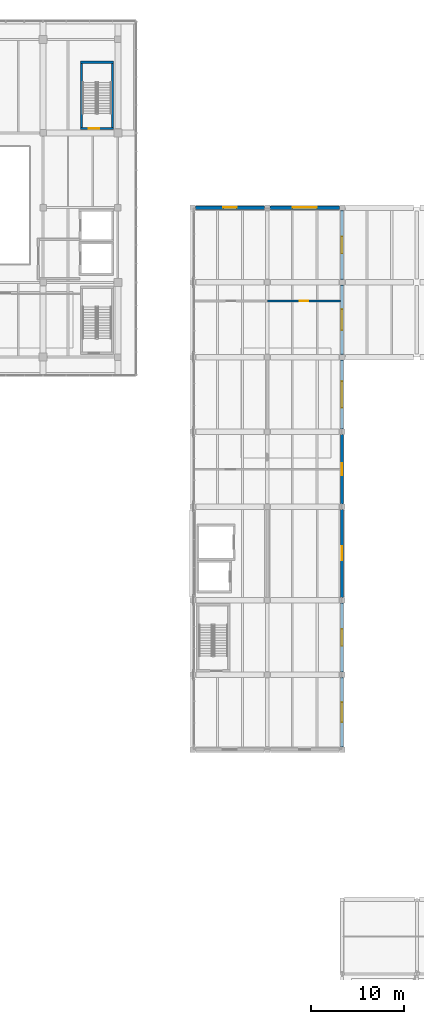
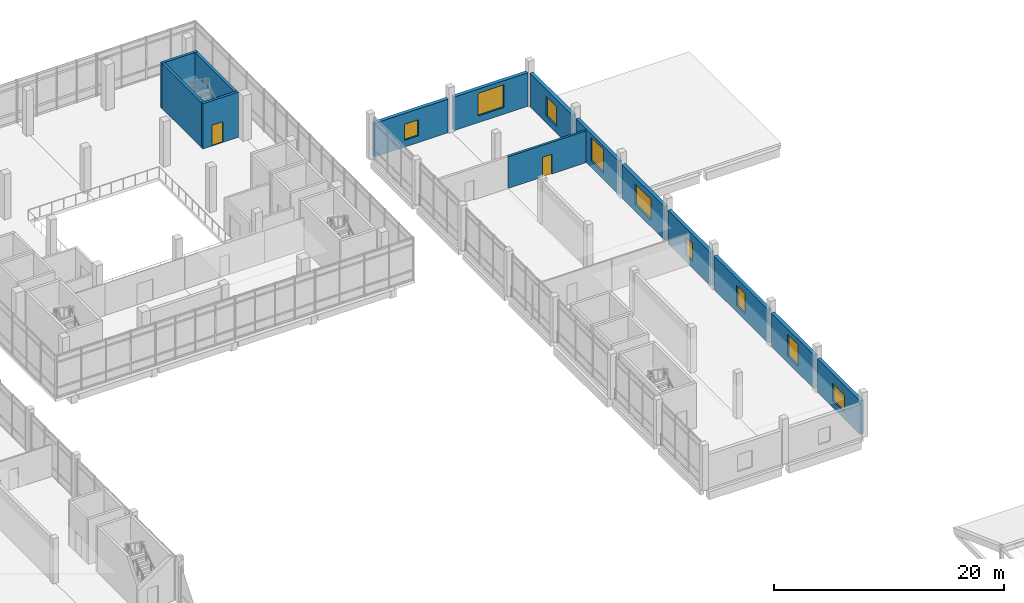
# One storey, part 36 of 47: 14 walls, 9 windows, 2 doors, 11 openings.
"""IFC4 building model written with IfcOpenShell, lengths in metres."""

from ifc_helpers import new_model, si_unit, direction, frame, frame_2d, origin, place, context, subcontext, project, spatial, rectangle, extrude, material, layer, layer_set, type_object, element, fill, save


model = new_model("IFC4")

# Units and contexts
model_context = context("Model", 3, precision=1e-05, world=origin(), true_north=direction((0.0, 1.0)))
body_context = subcontext(model_context, "Body", "Model", "MODEL_VIEW")
ifc_project = project(units=[si_unit("LENGTHUNIT", "METRE"), si_unit("AREAUNIT", "SQUARE_METRE"), si_unit("VOLUMEUNIT", "CUBIC_METRE"), si_unit("PLANEANGLEUNIT", "RADIAN"), si_unit("MASSUNIT", "GRAM", prefix="KILO")], contexts=[model_context])

# Site, building, storey
site_placement = place(None, origin())
site = spatial("IfcSite", under=ifc_project, at=site_placement, CompositionType="ELEMENT")
building_placement = place(site_placement, origin())
building = spatial("IfcBuilding", under=site, at=building_placement, Name="Pecanmere Concourse Central Library", CompositionType="ELEMENT")
storey_placement = place(building_placement, frame((0.0, 0.0, 15.300048828125)))
storey = spatial("IfcBuildingStorey", under=building, at=storey_placement, Name="L04", CompositionType="ELEMENT", Elevation=15.300048828125)

# Wall, opening, window
ifc_material_1 = material(Name="Texas cream limestone ashlar masonry", Category="masonry")
ifc_layer_1 = layer(ifc_material_1, 0.35009765625, Name="EW_LIME_350")
ifc_layer_set_1 = layer_set([ifc_layer_1], Name="Texas cream limestone ashlar masonry")
wall_type_1 = type_object("IfcWallType", Name="EW_LIME_350", PredefinedType="STANDARD", material=ifc_layer_set_1)
wall_1_placement = place(storey_placement, frame((128.0, 48.294921875, 0.0), z_axis=(0.0, 0.0, 1.0), x_axis=(0.0, 1.0, 0.0)))
wall_1 = element("IfcWall", 1, at=wall_1_placement, inside=storey, type_object=wall_type_1, Name="Limestone Facade Wall L04-0177", PredefinedType="STANDARD", context=body_context, shape_type="SweptSolid", body=[
    extrude(rectangle(XDim=7.41015625, YDim=0.35009765625, at=frame_2d((3.705078125, 0.0))), origin(), (0.0, 0.0, 1.0), 3.56005859375),
])
opening_1_placement = place(wall_1_placement, frame((2.655029296875, 0.0, 0.719970703125)))
opening_1 = element("IfcOpeningElement", 2, at=opening_1_placement, cuts=wall_1, Name="Opening WN-18", PredefinedType="OPENING", context=body_context, shape_type="SweptSolid", body=[
    extrude(rectangle(XDim=2.10009765625, YDim=1.85009765625, at=frame_2d((1.050048828125, 0.925048828125))), frame((0.0, 0.18701171875, 0.0), z_axis=(0.0, -1.0, 0.0), x_axis=(1.0, 0.0, 0.0)), (0.0, 0.0, 1.0), 0.3740234375),
])
ifc_material_2 = material(Name="Low-iron clear insulated glazing", Category="glass")
window_type_1 = type_object("IfcWindowType", Name="WIN_2100x1850", PartitioningType="SINGLE_PANEL", PredefinedType="WINDOW", material=ifc_material_2)
window_1_placement = place(opening_1_placement, origin())
window_1 = element("IfcWindow", 3, at=window_1_placement, inside=storey, type_object=window_type_1, Name="WN-147", OverallHeight=1.85009765625, OverallWidth=2.10009765625, PartitioningType="SINGLE_PANEL", PredefinedType="WINDOW", context=body_context, shape_type="SweptSolid", body=[
    extrude(rectangle(XDim=2.10009765625, YDim=1.85009765625, at=frame_2d((1.050048828125, 0.925048828125))), frame((0.0, 0.030029296875, 0.0), z_axis=(0.0, -1.0, 0.0), x_axis=(1.0, 0.0, 0.0)), (0.0, 0.0, 1.0), 0.06005859375),
])
fill(opening_1, window_1)

wall_2_placement = place(storey_placement, frame((128.0, 56.294921875, 0.0), z_axis=(0.0, 0.0, 1.0), x_axis=(0.0, 1.0, 0.0)))
wall_2 = element("IfcWall", 4, at=wall_2_placement, inside=storey, type_object=wall_type_1, Name="Limestone Facade Wall L04-0179", PredefinedType="STANDARD", context=body_context, shape_type="SweptSolid", body=[
    extrude(rectangle(XDim=7.41015625, YDim=0.35009765625, at=frame_2d((3.705078125, 0.0))), origin(), (0.0, 0.0, 1.0), 3.56005859375),
])
opening_2_placement = place(wall_2_placement, frame((2.804931640625, 0.0, 0.719970703125)))
opening_2 = element("IfcOpeningElement", 5, at=opening_2_placement, cuts=wall_2, Name="Opening WN-04", PredefinedType="OPENING", context=body_context, shape_type="SweptSolid", body=[
    extrude(rectangle(XDim=1.800048828125, YDim=2.300048828125, at=frame_2d((0.89990234375, 1.14990234375))), frame((0.0, 0.18701171875, 0.0), z_axis=(0.0, -1.0, 0.0), x_axis=(1.0, 0.0, 0.0)), (0.0, 0.0, 1.0), 0.3740234375),
])
ifc_material_3 = material(Name="Low-iron clear insulated glazing", Category="glass")
window_type_2 = type_object("IfcWindowType", Name="WIN_1800x2300", PartitioningType="SINGLE_PANEL", PredefinedType="WINDOW", material=ifc_material_3)
window_2_placement = place(opening_2_placement, origin())
window_2 = element("IfcWindow", 6, at=window_2_placement, inside=storey, type_object=window_type_2, Name="WN-149", OverallHeight=2.300048828125, OverallWidth=1.800048828125, PartitioningType="SINGLE_PANEL", PredefinedType="WINDOW", context=body_context, shape_type="SweptSolid", body=[
    extrude(rectangle(XDim=1.800048828125, YDim=2.300048828125, at=frame_2d((0.89990234375, 1.14990234375))), frame((0.0, 0.030029296875, 0.0), z_axis=(0.0, -1.0, 0.0), x_axis=(1.0, 0.0, 0.0)), (0.0, 0.0, 1.0), 0.06005859375),
])
fill(opening_2, window_2)

wall_3_placement = place(storey_placement, frame((128.0, 64.294921875, 0.0), z_axis=(0.0, 0.0, 1.0), x_axis=(0.0, 1.0, 0.0)))
wall_3 = element("IfcWall", 7, at=wall_3_placement, inside=storey, type_object=wall_type_1, Name="Limestone Facade Wall L04-0181", PredefinedType="STANDARD", context=body_context, shape_type="SweptSolid", body=[
    extrude(rectangle(XDim=9.41015625, YDim=0.35009765625, at=frame_2d((4.705078125, 0.0))), origin(), (0.0, 0.0, 1.0), 3.56005859375),
])
opening_3_placement = place(wall_3_placement, frame((3.955078125, 0.0, 0.719970703125)))
opening_3 = element("IfcOpeningElement", 8, at=opening_3_placement, cuts=wall_3, Name="Opening WN-08", PredefinedType="OPENING", context=body_context, shape_type="SweptSolid", body=[
    extrude(rectangle(XDim=1.5, YDim=2.10009765625, at=frame_2d((0.75, 1.050048828125))), frame((0.0, 0.18701171875, 0.0), z_axis=(0.0, -1.0, 0.0), x_axis=(1.0, 0.0, 0.0)), (0.0, 0.0, 1.0), 0.3740234375),
])
ifc_material_4 = material(Name="Low-iron clear insulated glazing", Category="glass")
window_type_3 = type_object("IfcWindowType", Name="WIN_1500x2100", PartitioningType="SINGLE_PANEL", PredefinedType="WINDOW", material=ifc_material_4)
window_3_placement = place(opening_3_placement, origin())
window_3 = element("IfcWindow", 9, at=window_3_placement, inside=storey, type_object=window_type_3, Name="WN-151", OverallHeight=2.10009765625, OverallWidth=1.5, PartitioningType="SINGLE_PANEL", PredefinedType="WINDOW", context=body_context, shape_type="SweptSolid", body=[
    extrude(rectangle(XDim=1.5, YDim=2.10009765625, at=frame_2d((0.75, 1.050048828125))), frame((0.0, 0.030029296875, 0.0), z_axis=(0.0, -1.0, 0.0), x_axis=(1.0, 0.0, 0.0)), (0.0, 0.0, 1.0), 0.06005859375),
])
fill(opening_3, window_3)

wall_4_placement = place(storey_placement, frame((128.0, 74.294921875, 0.0), z_axis=(0.0, 0.0, 1.0), x_axis=(0.0, 1.0, 0.0)))
wall_4 = element("IfcWall", 10, at=wall_4_placement, inside=storey, type_object=wall_type_1, Name="Limestone Facade Wall L04-0183", PredefinedType="STANDARD", context=body_context, shape_type="SweptSolid", body=[
    extrude(rectangle(XDim=7.41015625, YDim=0.35009765625, at=frame_2d((3.705078125, 0.0))), origin(), (0.0, 0.0, 1.0), 3.56005859375),
])
opening_4_placement = place(wall_4_placement, frame((3.080078125, 0.0, 0.719970703125)))
opening_4 = element("IfcOpeningElement", 11, at=opening_4_placement, cuts=wall_4, Name="Opening WN-12", PredefinedType="OPENING", context=body_context, shape_type="SweptSolid", body=[
    extrude(rectangle(XDim=1.25, YDim=1.89990234375, at=frame_2d((0.625, 0.949951171875))), frame((0.0, 0.18701171875, 0.0), z_axis=(0.0, -1.0, 0.0), x_axis=(1.0, 0.0, 0.0)), (0.0, 0.0, 1.0), 0.3740234375),
])
ifc_material_5 = material(Name="Low-iron clear insulated glazing", Category="glass")
window_type_4 = type_object("IfcWindowType", Name="WIN_1250x1900", PartitioningType="SINGLE_PANEL", PredefinedType="WINDOW", material=ifc_material_5)
window_4_placement = place(opening_4_placement, origin())
window_4 = element("IfcWindow", 12, at=window_4_placement, inside=storey, type_object=window_type_4, Name="WN-153", OverallHeight=1.89990234375, OverallWidth=1.25, PartitioningType="SINGLE_PANEL", PredefinedType="WINDOW", context=body_context, shape_type="SweptSolid", body=[
    extrude(rectangle(XDim=1.25, YDim=1.89990234375, at=frame_2d((0.625, 0.949951171875))), frame((0.0, 0.030029296875, 0.0), z_axis=(0.0, -1.0, 0.0), x_axis=(1.0, 0.0, 0.0)), (0.0, 0.0, 1.0), 0.06005859375),
])
fill(opening_4, window_4)

wall_5_placement = place(storey_placement, frame((128.0, 82.294921875, 0.0), z_axis=(0.0, 0.0, 1.0), x_axis=(0.0, 1.0, 0.0)))
wall_5 = element("IfcWall", 13, at=wall_5_placement, inside=storey, type_object=wall_type_1, Name="Limestone Facade Wall L04-0185", PredefinedType="STANDARD", context=body_context, shape_type="SweptSolid", body=[
    extrude(rectangle(XDim=7.41015625, YDim=0.35009765625, at=frame_2d((3.705078125, 0.0))), origin(), (0.0, 0.0, 1.0), 3.56005859375),
])
opening_5_placement = place(wall_5_placement, frame((2.304931640625, 0.0, 0.719970703125)))
opening_5 = element("IfcOpeningElement", 14, at=opening_5_placement, cuts=wall_5, Name="Opening WN-16", PredefinedType="OPENING", context=body_context, shape_type="SweptSolid", body=[
    extrude(rectangle(XDim=2.800048828125, YDim=2.199951171875, at=frame_2d((1.39990234375, 1.10009765625))), frame((0.0, 0.18701171875, 0.0), z_axis=(0.0, -1.0, 0.0), x_axis=(1.0, 0.0, 0.0)), (0.0, 0.0, 1.0), 0.3740234375),
])
ifc_material_6 = material(Name="Low-iron clear insulated glazing", Category="glass")
window_type_5 = type_object("IfcWindowType", Name="WIN_2800x2200", PartitioningType="SINGLE_PANEL", PredefinedType="WINDOW", material=ifc_material_6)
window_5_placement = place(opening_5_placement, origin())
window_5 = element("IfcWindow", 15, at=window_5_placement, inside=storey, type_object=window_type_5, Name="WN-155", OverallHeight=2.199951171875, OverallWidth=2.800048828125, PartitioningType="SINGLE_PANEL", PredefinedType="WINDOW", context=body_context, shape_type="SweptSolid", body=[
    extrude(rectangle(XDim=2.800048828125, YDim=2.199951171875, at=frame_2d((1.39990234375, 1.10009765625))), frame((0.0, 0.030029296875, 0.0), z_axis=(0.0, -1.0, 0.0), x_axis=(1.0, 0.0, 0.0)), (0.0, 0.0, 1.0), 0.06005859375),
])
fill(opening_5, window_5)

wall_6_placement = place(storey_placement, frame((128.0, 90.294921875, 0.0), z_axis=(0.0, 0.0, 1.0), x_axis=(0.0, 1.0, 0.0)))
wall_6 = element("IfcWall", 16, at=wall_6_placement, inside=storey, type_object=wall_type_1, Name="Limestone Facade Wall L04-0187", PredefinedType="STANDARD", context=body_context, shape_type="SweptSolid", body=[
    extrude(rectangle(XDim=7.41015625, YDim=0.35009765625, at=frame_2d((3.705078125, 0.0))), origin(), (0.0, 0.0, 1.0), 3.56005859375),
])
opening_6_placement = place(wall_6_placement, frame((2.60498046875, 0.0, 0.719970703125)))
opening_6 = element("IfcOpeningElement", 17, at=opening_6_placement, cuts=wall_6, Name="Opening WN-02", PredefinedType="OPENING", context=body_context, shape_type="SweptSolid", body=[
    extrude(rectangle(XDim=2.199951171875, YDim=2.5, at=frame_2d((1.10009765625, 1.25))), frame((0.0, 0.18701171875, 0.0), z_axis=(0.0, -1.0, 0.0), x_axis=(1.0, 0.0, 0.0)), (0.0, 0.0, 1.0), 0.3740234375),
])
ifc_material_7 = material(Name="Low-iron clear insulated glazing", Category="glass")
window_type_6 = type_object("IfcWindowType", Name="WIN_2200x2500", PartitioningType="SINGLE_PANEL", PredefinedType="WINDOW", material=ifc_material_7)
window_6_placement = place(opening_6_placement, origin())
window_6 = element("IfcWindow", 18, at=window_6_placement, inside=storey, type_object=window_type_6, Name="WN-157", OverallHeight=2.5, OverallWidth=2.199951171875, PartitioningType="SINGLE_PANEL", PredefinedType="WINDOW", context=body_context, shape_type="SweptSolid", body=[
    extrude(rectangle(XDim=2.199951171875, YDim=2.5, at=frame_2d((1.10009765625, 1.25))), frame((0.0, 0.030029296875, 0.0), z_axis=(0.0, -1.0, 0.0), x_axis=(1.0, 0.0, 0.0)), (0.0, 0.0, 1.0), 0.06005859375),
])
fill(opening_6, window_6)

wall_7_placement = place(storey_placement, frame((128.0, 98.294921875, 0.0), z_axis=(0.0, 0.0, 1.0), x_axis=(0.0, 1.0, 0.0)))
wall_7 = element("IfcWall", 19, at=wall_7_placement, inside=storey, type_object=wall_type_1, Name="Limestone Facade Wall L04-0189", PredefinedType="STANDARD", context=body_context, shape_type="SweptSolid", body=[
    extrude(rectangle(XDim=7.41015625, YDim=0.35009765625, at=frame_2d((3.705078125, 0.0))), origin(), (0.0, 0.0, 1.0), 3.56005859375),
])
opening_7_placement = place(wall_7_placement, frame((2.804931640625, 0.0, 0.719970703125)))
opening_7 = element("IfcOpeningElement", 20, at=opening_7_placement, cuts=wall_7, Name="Opening WN-05", PredefinedType="OPENING", context=body_context, shape_type="SweptSolid", body=[
    extrude(rectangle(XDim=1.800048828125, YDim=2.10009765625, at=frame_2d((0.89990234375, 1.050048828125))), frame((0.0, 0.18701171875, 0.0), z_axis=(0.0, -1.0, 0.0), x_axis=(1.0, 0.0, 0.0)), (0.0, 0.0, 1.0), 0.3740234375),
])
ifc_material_8 = material(Name="Low-iron clear insulated glazing", Category="glass")
window_type_7 = type_object("IfcWindowType", Name="WIN_1800x2100", PartitioningType="SINGLE_PANEL", PredefinedType="WINDOW", material=ifc_material_8)
window_7_placement = place(opening_7_placement, origin())
window_7 = element("IfcWindow", 21, at=window_7_placement, inside=storey, type_object=window_type_7, Name="WN-158", OverallHeight=2.10009765625, OverallWidth=1.800048828125, PartitioningType="SINGLE_PANEL", PredefinedType="WINDOW", context=body_context, shape_type="SweptSolid", body=[
    extrude(rectangle(XDim=1.800048828125, YDim=2.10009765625, at=frame_2d((0.89990234375, 1.050048828125))), frame((0.0, 0.030029296875, 0.0), z_axis=(0.0, -1.0, 0.0), x_axis=(1.0, 0.0, 0.0)), (0.0, 0.0, 1.0), 0.06005859375),
])
fill(opening_7, window_7)

wall_8_placement = place(storey_placement, frame((119.705078125, 106.0, 0.0), z_axis=(0.0, 0.0, 1.0), x_axis=(-1.0, 0.0, 0.0)))
wall_8 = element("IfcWall", 22, at=wall_8_placement, inside=storey, type_object=wall_type_1, Name="Limestone Facade Wall L04-0192", PredefinedType="STANDARD", context=body_context, shape_type="SweptSolid", body=[
    extrude(rectangle(XDim=7.41015625, YDim=0.35009765625, at=frame_2d((3.705078125, 0.0))), origin(), (0.0, 0.0, 1.0), 3.56005859375),
])
opening_8_placement = place(wall_8_placement, frame((3.0048828125, 0.0, 0.719970703125)))
opening_8 = element("IfcOpeningElement", 23, at=opening_8_placement, cuts=wall_8, Name="Opening WN-11", PredefinedType="OPENING", context=body_context, shape_type="SweptSolid", body=[
    extrude(rectangle(XDim=1.39990234375, YDim=1.699951171875, at=frame_2d((0.699951171875, 0.85009765625))), frame((0.0, 0.18701171875, 0.0), z_axis=(0.0, -1.0, 0.0), x_axis=(1.0, 0.0, 0.0)), (0.0, 0.0, 1.0), 0.3740234375),
])
ifc_material_9 = material(Name="Low-iron clear insulated glazing", Category="glass")
window_type_8 = type_object("IfcWindowType", Name="WIN_1400x1700", PartitioningType="SINGLE_PANEL", PredefinedType="WINDOW", material=ifc_material_9)
window_8_placement = place(opening_8_placement, origin())
window_8 = element("IfcWindow", 24, at=window_8_placement, inside=storey, type_object=window_type_8, Name="WN-161", OverallHeight=1.699951171875, OverallWidth=1.39990234375, PartitioningType="SINGLE_PANEL", PredefinedType="WINDOW", context=body_context, shape_type="SweptSolid", body=[
    extrude(rectangle(XDim=1.39990234375, YDim=1.699951171875, at=frame_2d((0.699951171875, 0.85009765625))), frame((0.0, 0.030029296875, 0.0), z_axis=(0.0, -1.0, 0.0), x_axis=(1.0, 0.0, 0.0)), (0.0, 0.0, 1.0), 0.06005859375),
])
fill(opening_8, window_8)

wall_9_placement = place(storey_placement, frame((127.705078125, 106.0, 0.0), z_axis=(0.0, 0.0, 1.0), x_axis=(-1.0, 0.0, 0.0)))
wall_9 = element("IfcWall", 25, at=wall_9_placement, inside=storey, type_object=wall_type_1, Name="Limestone Facade Wall L04-0194", PredefinedType="STANDARD", context=body_context, shape_type="SweptSolid", body=[
    extrude(rectangle(XDim=7.41015625, YDim=0.35009765625, at=frame_2d((3.705078125, 0.0))), origin(), (0.0, 0.0, 1.0), 3.56005859375),
])
opening_9_placement = place(wall_9_placement, frame((2.405029296875, 0.0, 0.719970703125)))
opening_9 = element("IfcOpeningElement", 26, at=opening_9_placement, cuts=wall_9, Name="Opening WN-15", PredefinedType="OPENING", context=body_context, shape_type="SweptSolid", body=[
    extrude(rectangle(XDim=2.60009765625, YDim=2.39990234375, at=frame_2d((1.300048828125, 1.199951171875))), frame((0.0, 0.18701171875, 0.0), z_axis=(0.0, -1.0, 0.0), x_axis=(1.0, 0.0, 0.0)), (0.0, 0.0, 1.0), 0.3740234375),
])
ifc_material_10 = material(Name="Low-iron clear insulated glazing", Category="glass")
window_type_9 = type_object("IfcWindowType", Name="WIN_2600x2400", PartitioningType="SINGLE_PANEL", PredefinedType="WINDOW", material=ifc_material_10)
window_9_placement = place(opening_9_placement, origin())
window_9 = element("IfcWindow", 27, at=window_9_placement, inside=storey, type_object=window_type_9, Name="WN-163", OverallHeight=2.39990234375, OverallWidth=2.60009765625, PartitioningType="SINGLE_PANEL", PredefinedType="WINDOW", context=body_context, shape_type="SweptSolid", body=[
    extrude(rectangle(XDim=2.60009765625, YDim=2.39990234375, at=frame_2d((1.300048828125, 1.199951171875))), frame((0.0, 0.030029296875, 0.0), z_axis=(0.0, -1.0, 0.0), x_axis=(1.0, 0.0, 0.0)), (0.0, 0.0, 1.0), 0.06005859375),
])
fill(opening_9, window_9)

# Wall, opening, door
ifc_material_11 = material(Name="Concrete masonry unit ASTM C90", Category="masonry")
ifc_layer_2 = layer(ifc_material_11, 0.22509765625, Name="IW_PLUMB_225")
ifc_layer_set_2 = layer_set([ifc_layer_2], Name="Concrete masonry unit ASTM C90")
wall_type_2 = type_object("IfcWallType", Name="IW_PLUMB_225", PredefinedType="PARTITIONING", material=ifc_layer_set_2)
wall_10_placement = place(storey_placement, frame((120.02001953125, 96.0, 0.0), z_axis=(0.0, 0.0, 1.0), x_axis=(1.0, 0.0, 0.0)))
wall_10 = element("IfcWall", 28, at=wall_10_placement, inside=storey, type_object=wall_type_2, Name="Interior Partition L04-0197", PredefinedType="PARTITIONING", context=body_context, shape_type="SweptSolid", body=[
    extrude(rectangle(XDim=7.794921875, YDim=0.22509765625, at=frame_2d((3.8974609375, 0.0))), origin(), (0.0, 0.0, 1.0), 3.369873046875),
])
opening_10_placement = place(wall_10_placement, frame((3.4375, 0.0, 0.0)))
opening_10 = element("IfcOpeningElement", 29, at=opening_10_placement, cuts=wall_10, Name="Opening DT-08", PredefinedType="OPENING", context=body_context, shape_type="SweptSolid", body=[
    extrude(rectangle(XDim=0.919921875, YDim=2.10009765625, at=frame_2d((0.4599609375, 1.050048828125))), frame((0.0, 0.12451171875, 0.0), z_axis=(0.0, -1.0, 0.0), x_axis=(1.0, 0.0, 0.0)), (0.0, 0.0, 1.0), 0.2490234375),
])
ifc_material_12 = material(Name="Solid white oak architectural joinery")
door_type_1 = type_object("IfcDoorType", Name="DT-08", OperationType="SINGLE_SWING_RIGHT", PredefinedType="DOOR", material=ifc_material_12)
door_1_placement = place(opening_10_placement, frame((0.919921875, 0.0, 0.0), z_axis=(0.0, 0.0, 1.0), x_axis=(-1.0, 0.0, 0.0)))
door_1 = element("IfcDoor", 30, at=door_1_placement, inside=storey, type_object=door_type_1, Name="D-221", OperationType="SINGLE_SWING_RIGHT", OverallHeight=2.10009765625, OverallWidth=0.919921875, PredefinedType="DOOR", context=body_context, shape_type="SweptSolid", body=[
    extrude(rectangle(XDim=0.919921875, YDim=2.10009765625, at=frame_2d((0.4599609375, 1.050048828125))), frame((0.0, 0.02490234375, 0.0), z_axis=(0.0, -1.0, 0.0), x_axis=(1.0, 0.0, 0.0)), (0.0, 0.0, 1.0), 0.050048828125),
])
fill(opening_10, door_1)

ifc_material_13 = material(Name="Concrete C40/50", Category="concrete")
ifc_layer_3 = layer(ifc_material_13, 0.260009765625, Name="WALL_SLD_260")
ifc_layer_set_3 = layer_set([ifc_layer_3], Name="Concrete C40/50")
wall_type_3 = type_object("IfcWallType", Name="WALL_SLD_260", PredefinedType="SOLIDWALL", material=ifc_layer_set_3)
wall_11_placement = place(storey_placement, frame((99.97998046875, 114.469970703125, 0.0), z_axis=(0.0, 0.0, 1.0), x_axis=(1.0, 0.0, 0.0)))
wall_11 = element("IfcWall", 31, at=wall_11_placement, inside=storey, type_object=wall_type_3, Name="Core C4 South Wall L04", PredefinedType="SOLIDWALL", context=body_context, shape_type="SweptSolid", body=[
    extrude(rectangle(XDim=3.580078125, YDim=0.260009765625, at=frame_2d((1.7900390625, 0.0))), origin(), (0.0, 0.0, 1.0), 4.800048828125),
])
opening_11_placement = place(wall_11_placement, frame((0.919921875, 0.0, 0.0)))
opening_11 = element("IfcOpeningElement", 32, at=opening_11_placement, cuts=wall_11, Name="Opening FD-01", PredefinedType="OPENING", context=body_context, shape_type="SweptSolid", body=[
    extrude(rectangle(XDim=1.10009765625, YDim=2.199951171875, at=frame_2d((0.550048828125, 1.10009765625))), frame((0.0, 0.14208984375, 0.0), z_axis=(0.0, -1.0, 0.0), x_axis=(1.0, 0.0, 0.0)), (0.0, 0.0, 1.0), 0.283935546875),
])
ifc_material_14 = material(Name="Painted architectural steel ASTM A36", Category="steel")
door_type_2 = type_object("IfcDoorType", Name="FD-01", OperationType="SINGLE_SWING_LEFT", PredefinedType="DOOR", material=ifc_material_14)
door_2_placement = place(opening_11_placement, origin())
door_2 = element("IfcDoor", 33, at=door_2_placement, inside=storey, type_object=door_type_2, Name="D-029", OperationType="SINGLE_SWING_LEFT", OverallHeight=2.199951171875, OverallWidth=1.10009765625, PredefinedType="DOOR", context=body_context, shape_type="SweptSolid", body=[
    extrude(rectangle(XDim=1.10009765625, YDim=2.199951171875, at=frame_2d((0.550048828125, 1.10009765625))), frame((0.0, 0.02490234375, 0.0), z_axis=(0.0, -1.0, 0.0), x_axis=(1.0, 0.0, 0.0)), (0.0, 0.0, 1.0), 0.050048828125),
])
fill(opening_11, door_2)

# Walls
wall_12_placement = place(storey_placement, frame((99.97998046875, 121.550048828125, 0.0), z_axis=(0.0, 0.0, 1.0), x_axis=(1.0, 0.0, 0.0)))
element("IfcWall", 34, at=wall_12_placement, inside=storey, type_object=wall_type_3, Name="Core C4 North Wall L04", PredefinedType="SOLIDWALL", context=body_context, shape_type="SweptSolid", body=[
    extrude(rectangle(XDim=3.580078125, YDim=0.260009765625, at=frame_2d((1.7900390625, 0.0))), origin(), (0.0, 0.0, 1.0), 4.800048828125),
])
for number, where, z_axis, x_axis, name in (
    (35, (100.110107421875, 114.60009765625, 0.0), (0.0, 0.0, 1.0), (0.0, 1.0, 0.0), "Core C4 W Wall L04"),
    (36, (103.429931640625, 114.60009765625, 0.0), (0.0, 0.0, 1.0), (0.0, 1.0, 0.0), "Core C4 E Wall L04"),
):
    element("IfcWall", number, at=place(storey_placement, frame(where, z_axis=z_axis, x_axis=x_axis)), inside=storey, type_object=wall_type_3, Name=name, PredefinedType="SOLIDWALL", context=body_context, shape_type="SweptSolid", body=[
        extrude(rectangle(XDim=6.81982421875, YDim=0.260009765625, at=frame_2d((3.409912109375, 0.0))), origin(), (0.0, 0.0, 1.0), 4.800048828125),
    ])

save(model, "model.ifc")
